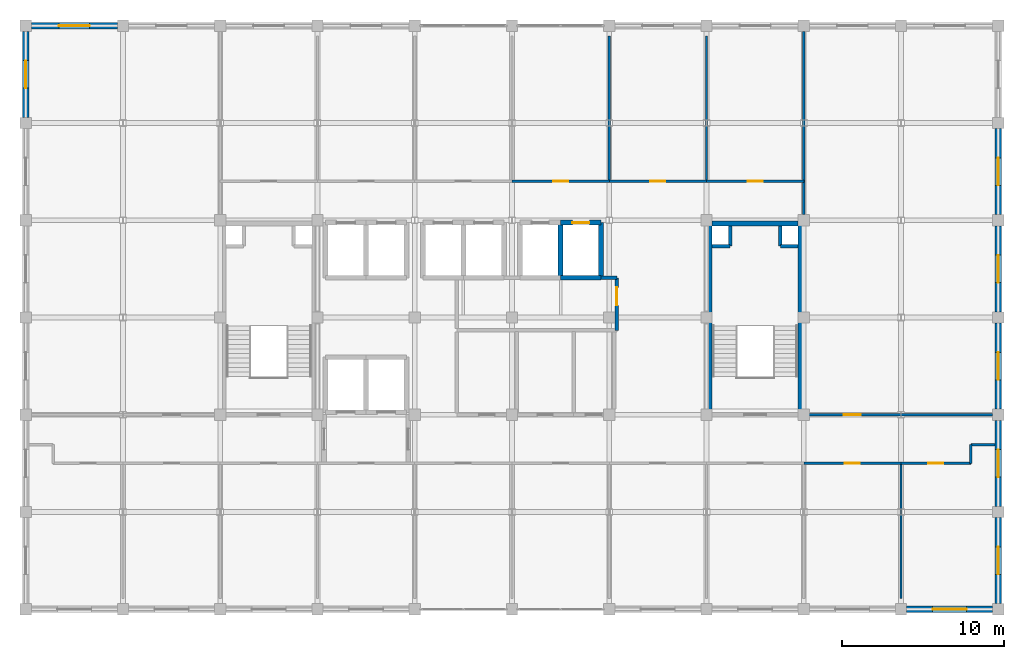
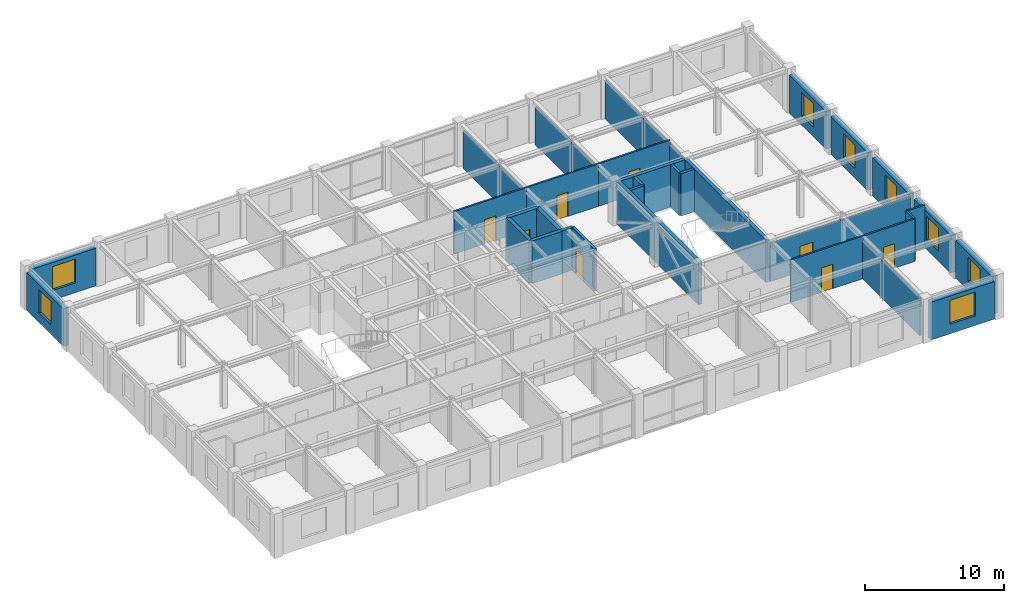
# One storey, part 12 of 14: 34 walls, 8 doors, 8 windows, 16 openings.
"""IFC4 building model written with IfcOpenShell, lengths in metres."""

from ifc_helpers import new_model, si_unit, direction, frame, frame_2d, origin, place, context, subcontext, project, spatial, rectangle, extrude, material, layer, layer_set, type_object, element, fill, save


model = new_model("IFC4")

# Units and contexts
model_context = context("Model", 3, precision=1e-05, world=origin(), true_north=direction((0.0, 1.0)))
body_context = subcontext(model_context, "Body", "Model", "MODEL_VIEW")
ifc_project = project(units=[si_unit("LENGTHUNIT", "METRE"), si_unit("AREAUNIT", "SQUARE_METRE"), si_unit("VOLUMEUNIT", "CUBIC_METRE"), si_unit("PLANEANGLEUNIT", "RADIAN"), si_unit("MASSUNIT", "GRAM", prefix="KILO")], contexts=[model_context])

# Site, building, storey
site_placement = place(None, origin())
site = spatial("IfcSite", under=ifc_project, at=site_placement, CompositionType="ELEMENT")
building_placement = place(site_placement, origin())
building = spatial("IfcBuilding", under=site, at=building_placement, Name="Zlatovratsky Civic Hall", CompositionType="ELEMENT")
storey_placement = place(building_placement, frame((0.0, 0.0, 28.800048828125)))
storey = spatial("IfcBuildingStorey", under=building, at=storey_placement, Name="L07", CompositionType="ELEMENT", Elevation=28.800048828125)

# Wall, opening, door
ifc_material_1 = material(Name="Fire-rated gypsum board framing", Category="gypsum")
ifc_layer_1 = layer(ifc_material_1, 0.139892578125)
ifc_layer_set_1 = layer_set([ifc_layer_1], Name="Fire-rated gypsum board framing")
wall_type_1 = type_object("IfcWallType", Name="Wall_OfficePartition_140", PredefinedType="PARTITIONING", material=ifc_layer_set_1)
wall_1_placement = place(storey_placement, frame((102.0, 81.0, 0.0), z_axis=(0.0, 0.0, 1.0), x_axis=(1.0, 0.0, 0.0)))
wall_1 = element("IfcWall", 1, at=wall_1_placement, inside=storey, type_object=wall_type_1, Name="WL-6364", PredefinedType="PARTITIONING", context=body_context, shape_type="SweptSolid", body=[
    extrude(rectangle(XDim=6.0, YDim=0.139892578125, at=frame_2d((3.0, 0.0))), origin(), (0.0, 0.0, 1.0), 3.739990234375),
])
opening_1_placement = place(wall_1_placement, frame((2.5400390625, 0.0, 0.0)))
opening_1 = element("IfcOpeningElement", 2, at=opening_1_placement, cuts=wall_1, Name="Opening D-23", PredefinedType="OPENING", context=body_context, shape_type="SweptSolid", body=[
    extrude(rectangle(XDim=0.919921875, YDim=2.14990234375, at=frame_2d((0.4599609375, 1.074951171875))), frame((0.0, 0.0849609375, 0.0), z_axis=(0.0, -1.0, 0.0), x_axis=(1.0, 0.0, 0.0)), (0.0, 0.0, 1.0), 0.169677734375),
])
ifc_material_2 = material(Name="Solid oak joinery in steel frame", Category="steel")
door_type_1 = type_object("IfcDoorType", Name="Door_OfficeStandard_920x2150", OperationType="NOTDEFINED", PredefinedType="DOOR", material=ifc_material_2)
door_1_placement = place(opening_1_placement, origin())
door_1 = element("IfcDoor", 3, at=door_1_placement, inside=storey, type_object=door_type_1, Name="DR-5391", OperationType="SINGLE_SWING_RIGHT", OverallHeight=2.14990234375, OverallWidth=0.919921875, PredefinedType="DOOR", context=body_context, shape_type="SweptSolid", body=[
    extrude(rectangle(XDim=0.919921875, YDim=2.14990234375, at=frame_2d((0.4599609375, 1.074951171875))), frame((0.0, 0.02490234375, 0.0), z_axis=(0.0, -1.0, 0.0), x_axis=(1.0, 0.0, 0.0)), (0.0, 0.0, 1.0), 0.050048828125),
])
fill(opening_1, door_1)

wall_2_placement = place(storey_placement, frame((108.0, 81.0, 0.0), z_axis=(0.0, 0.0, 1.0), x_axis=(1.0, 0.0, 0.0)))
wall_2 = element("IfcWall", 4, at=wall_2_placement, inside=storey, type_object=wall_type_1, Name="WL-6365", PredefinedType="PARTITIONING", context=body_context, shape_type="SweptSolid", body=[
    extrude(rectangle(XDim=4.300048828125, YDim=0.139892578125, at=frame_2d((2.14990234375, 0.0))), origin(), (0.0, 0.0, 1.0), 3.739990234375),
])
opening_2_placement = place(wall_2_placement, frame((1.68994140625, 0.0, 0.0)))
opening_2 = element("IfcOpeningElement", 5, at=opening_2_placement, cuts=wall_2, Name="Opening D-23", PredefinedType="OPENING", context=body_context, shape_type="SweptSolid", body=[
    extrude(rectangle(XDim=0.919921875, YDim=2.14990234375, at=frame_2d((0.4599609375, 1.074951171875))), frame((0.0, 0.0849609375, 0.0), z_axis=(0.0, -1.0, 0.0), x_axis=(1.0, 0.0, 0.0)), (0.0, 0.0, 1.0), 0.169677734375),
])
door_2_placement = place(opening_2_placement, origin())
door_2 = element("IfcDoor", 6, at=door_2_placement, inside=storey, type_object=door_type_1, Name="DR-5392", OperationType="SINGLE_SWING_RIGHT", OverallHeight=2.14990234375, OverallWidth=0.919921875, PredefinedType="DOOR", context=body_context, shape_type="SweptSolid", body=[
    extrude(rectangle(XDim=0.919921875, YDim=2.14990234375, at=frame_2d((0.4599609375, 1.074951171875))), frame((0.0, 0.02490234375, 0.0), z_axis=(0.0, -1.0, 0.0), x_axis=(1.0, 0.0, 0.0)), (0.0, 0.0, 1.0), 0.050048828125),
])
fill(opening_2, door_2)

wall_3_placement = place(storey_placement, frame((84.0, 98.39990234375, 0.0), z_axis=(0.0, 0.0, 1.0), x_axis=(1.0, 0.0, 0.0)))
wall_3 = element("IfcWall", 7, at=wall_3_placement, inside=storey, type_object=wall_type_1, Name="WL-6369", PredefinedType="PARTITIONING", context=body_context, shape_type="SweptSolid", body=[
    extrude(rectangle(XDim=6.0, YDim=0.139892578125, at=frame_2d((3.0, 0.0))), origin(), (0.0, 0.0, 1.0), 3.739990234375),
])
opening_3_placement = place(wall_3_placement, frame((2.5400390625, 0.0, 0.0)))
opening_3 = element("IfcOpeningElement", 8, at=opening_3_placement, cuts=wall_3, Name="Opening D-23", PredefinedType="OPENING", context=body_context, shape_type="SweptSolid", body=[
    extrude(rectangle(XDim=0.919921875, YDim=2.14990234375, at=frame_2d((0.4599609375, 1.074951171875))), frame((0.0, 0.0849609375, 0.0), z_axis=(0.0, -1.0, 0.0), x_axis=(1.0, 0.0, 0.0)), (0.0, 0.0, 1.0), 0.169677734375),
])
door_3_placement = place(opening_3_placement, origin())
door_3 = element("IfcDoor", 9, at=door_3_placement, inside=storey, type_object=door_type_1, Name="DR-5396", OperationType="SINGLE_SWING_RIGHT", OverallHeight=2.14990234375, OverallWidth=0.919921875, PredefinedType="DOOR", context=body_context, shape_type="SweptSolid", body=[
    extrude(rectangle(XDim=0.919921875, YDim=2.14990234375, at=frame_2d((0.4599609375, 1.074951171875))), frame((0.0, 0.02490234375, 0.0), z_axis=(0.0, -1.0, 0.0), x_axis=(1.0, 0.0, 0.0)), (0.0, 0.0, 1.0), 0.050048828125),
])
fill(opening_3, door_3)

wall_4_placement = place(storey_placement, frame((90.0, 98.39990234375, 0.0), z_axis=(0.0, 0.0, 1.0), x_axis=(1.0, 0.0, 0.0)))
wall_4 = element("IfcWall", 10, at=wall_4_placement, inside=storey, type_object=wall_type_1, Name="WL-6370", PredefinedType="PARTITIONING", context=body_context, shape_type="SweptSolid", body=[
    extrude(rectangle(XDim=6.0, YDim=0.139892578125, at=frame_2d((3.0, 0.0))), origin(), (0.0, 0.0, 1.0), 3.739990234375),
])
opening_4_placement = place(wall_4_placement, frame((2.5400390625, 0.0, 0.0)))
opening_4 = element("IfcOpeningElement", 11, at=opening_4_placement, cuts=wall_4, Name="Opening D-23", PredefinedType="OPENING", context=body_context, shape_type="SweptSolid", body=[
    extrude(rectangle(XDim=0.919921875, YDim=2.14990234375, at=frame_2d((0.4599609375, 1.074951171875))), frame((0.0, 0.0849609375, 0.0), z_axis=(0.0, -1.0, 0.0), x_axis=(1.0, 0.0, 0.0)), (0.0, 0.0, 1.0), 0.169677734375),
])
door_4_placement = place(opening_4_placement, origin())
door_4 = element("IfcDoor", 12, at=door_4_placement, inside=storey, type_object=door_type_1, Name="DR-5397", OperationType="SINGLE_SWING_RIGHT", OverallHeight=2.14990234375, OverallWidth=0.919921875, PredefinedType="DOOR", context=body_context, shape_type="SweptSolid", body=[
    extrude(rectangle(XDim=0.919921875, YDim=2.14990234375, at=frame_2d((0.4599609375, 1.074951171875))), frame((0.0, 0.02490234375, 0.0), z_axis=(0.0, -1.0, 0.0), x_axis=(1.0, 0.0, 0.0)), (0.0, 0.0, 1.0), 0.050048828125),
])
fill(opening_4, door_4)

wall_5_placement = place(storey_placement, frame((96.0, 98.39990234375, 0.0), z_axis=(0.0, 0.0, 1.0), x_axis=(1.0, 0.0, 0.0)))
wall_5 = element("IfcWall", 13, at=wall_5_placement, inside=storey, type_object=wall_type_1, Name="WL-6371", PredefinedType="PARTITIONING", context=body_context, shape_type="SweptSolid", body=[
    extrude(rectangle(XDim=6.0, YDim=0.139892578125, at=frame_2d((3.0, 0.0))), origin(), (0.0, 0.0, 1.0), 3.739990234375),
])
opening_5_placement = place(wall_5_placement, frame((2.5400390625, 0.0, 0.0)))
opening_5 = element("IfcOpeningElement", 14, at=opening_5_placement, cuts=wall_5, Name="Opening D-23", PredefinedType="OPENING", context=body_context, shape_type="SweptSolid", body=[
    extrude(rectangle(XDim=0.919921875, YDim=2.14990234375, at=frame_2d((0.4599609375, 1.074951171875))), frame((0.0, 0.0849609375, 0.0), z_axis=(0.0, -1.0, 0.0), x_axis=(1.0, 0.0, 0.0)), (0.0, 0.0, 1.0), 0.169677734375),
])
door_5_placement = place(opening_5_placement, origin())
door_5 = element("IfcDoor", 15, at=door_5_placement, inside=storey, type_object=door_type_1, Name="DR-5398", OperationType="SINGLE_SWING_RIGHT", OverallHeight=2.14990234375, OverallWidth=0.919921875, PredefinedType="DOOR", context=body_context, shape_type="SweptSolid", body=[
    extrude(rectangle(XDim=0.919921875, YDim=2.14990234375, at=frame_2d((0.4599609375, 1.074951171875))), frame((0.0, 0.02490234375, 0.0), z_axis=(0.0, -1.0, 0.0), x_axis=(1.0, 0.0, 0.0)), (0.0, 0.0, 1.0), 0.050048828125),
])
fill(opening_5, door_5)

wall_6_placement = place(storey_placement, frame((102.0, 84.0, 0.0), z_axis=(0.0, 0.0, 1.0), x_axis=(1.0, 0.0, 0.0)))
wall_6 = element("IfcWall", 16, at=wall_6_placement, inside=storey, type_object=wall_type_1, Name="WL-6373", PredefinedType="PARTITIONING", context=body_context, shape_type="SweptSolid", body=[
    extrude(rectangle(XDim=6.0, YDim=0.139892578125, at=frame_2d((3.0, 0.0))), origin(), (0.0, 0.0, 1.0), 3.35205078125),
])
opening_6_placement = place(wall_6_placement, frame((2.47509765625, 0.0, 0.0)))
opening_6 = element("IfcOpeningElement", 17, at=opening_6_placement, cuts=wall_6, Name="Opening D-24", PredefinedType="OPENING", context=body_context, shape_type="SweptSolid", body=[
    extrude(rectangle(XDim=1.050048828125, YDim=2.25, at=frame_2d((0.52490234375, 1.125))), frame((0.0, 0.0849609375, 0.0), z_axis=(0.0, -1.0, 0.0), x_axis=(1.0, 0.0, 0.0)), (0.0, 0.0, 1.0), 0.169677734375),
])
door_type_2 = type_object("IfcDoorType", Name="Door_DirectorateOffice_1050x2250", OperationType="NOTDEFINED", PredefinedType="DOOR", material=ifc_material_2)
door_6_placement = place(opening_6_placement, origin())
door_6 = element("IfcDoor", 18, at=door_6_placement, inside=storey, type_object=door_type_2, Name="DR-5400", OperationType="SINGLE_SWING_LEFT", OverallHeight=2.25, OverallWidth=1.050048828125, PredefinedType="DOOR", context=body_context, shape_type="SweptSolid", body=[
    extrude(rectangle(XDim=1.050048828125, YDim=2.25, at=frame_2d((0.52490234375, 1.125))), frame((0.0, 0.02490234375, 0.0), z_axis=(0.0, -1.0, 0.0), x_axis=(1.0, 0.0, 0.0)), (0.0, 0.0, 1.0), 0.050048828125),
])
fill(opening_6, door_6)

# Walls
wall_7_placement = place(storey_placement, frame((108.0, 72.64990234375, 0.0), z_axis=(0.0, 0.0, 1.0), x_axis=(0.0, 1.0, 0.0)))
element("IfcWall", 19, at=wall_7_placement, inside=storey, type_object=wall_type_1, Name="WL-6382", PredefinedType="PARTITIONING", context=body_context, shape_type="SweptSolid", body=[
    extrude(rectangle(XDim=8.35009765625, YDim=0.139892578125, at=frame_2d((4.175048828125, 0.0))), origin(), (0.0, 0.0, 1.0), 3.35205078125),
])
for number, where, z_axis, x_axis, name in (
    (20, (90.0, 98.39990234375, 0.0), (0.0, 0.0, 1.0), (0.0, 1.0, 0.0), "WL-6386"),
    (21, (96.0, 98.39990234375, 0.0), (0.0, 0.0, 1.0), (0.0, 1.0, 0.0), "WL-6387"),
):
    element("IfcWall", number, at=place(storey_placement, frame(where, z_axis=z_axis, x_axis=x_axis)), inside=storey, type_object=wall_type_1, Name=name, PredefinedType="PARTITIONING", context=body_context, shape_type="SweptSolid", body=[
        extrude(rectangle(XDim=8.9501953125, YDim=0.139892578125, at=frame_2d((4.47509765625, 0.0))), origin(), (0.0, 0.0, 1.0), 3.35205078125),
    ])
wall_8_placement = place(storey_placement, frame((112.300048828125, 81.0, 0.0), z_axis=(0.0, 0.0, 1.0), x_axis=(0.0, 1.0, 0.0)))
element("IfcWall", 22, at=wall_8_placement, inside=storey, type_object=wall_type_1, Name="WL-6395", PredefinedType="PARTITIONING", context=body_context, shape_type="SweptSolid", body=[
    extrude(rectangle(XDim=1.14990234375, YDim=0.139892578125, at=frame_2d((0.574951171875, 0.0))), origin(), (0.0, 0.0, 1.0), 3.739990234375),
])
wall_9_placement = place(storey_placement, frame((112.300048828125, 82.14990234375, 0.0), z_axis=(0.0, 0.0, 1.0), x_axis=(1.0, 0.0, 0.0)))
element("IfcWall", 23, at=wall_9_placement, inside=storey, type_object=wall_type_1, Name="WL-6396", PredefinedType="PARTITIONING", context=body_context, shape_type="SweptSolid", body=[
    extrude(rectangle(XDim=1.489990234375, YDim=0.139892578125, at=frame_2d((0.7451171875, 0.0))), origin(), (0.0, 0.0, 1.0), 3.739990234375),
])
wall_10_placement = place(storey_placement, frame((102.0, 96.35009765625, 0.0), z_axis=(0.0, 0.0, 1.0), x_axis=(0.0, 1.0, 0.0)))
element("IfcWall", 24, at=wall_10_placement, inside=storey, type_object=wall_type_1, Name="WL-6398", PredefinedType="PARTITIONING", context=body_context, shape_type="SweptSolid", body=[
    extrude(rectangle(XDim=11.2998046875, YDim=0.139892578125, at=frame_2d((5.64990234375, 0.0))), origin(), (0.0, 0.0, 1.0), 3.35205078125),
])
wall_11_placement = place(storey_placement, frame((108.0, 84.0, 0.0), z_axis=(0.0, 0.0, 1.0), x_axis=(1.0, 0.0, 0.0)))
element("IfcWall", 25, at=wall_11_placement, inside=storey, type_object=wall_type_1, Name="WL-6400", PredefinedType="PARTITIONING", context=body_context, shape_type="SweptSolid", body=[
    extrude(rectangle(XDim=5.64990234375, YDim=0.139892578125, at=frame_2d((2.824951171875, 0.0))), origin(), (0.0, 0.0, 1.0), 3.35205078125),
])
ifc_material_3 = material(Name="Acoustic ceramic blockwork", Category="masonry")
ifc_layer_2 = layer(ifc_material_3, 0.219970703125)
ifc_layer_set_2 = layer_set([ifc_layer_2], Name="Acoustic ceramic blockwork")
wall_type_2 = type_object("IfcWallType", Name="Wall_SanitaryWetCore_220", PredefinedType="PARTITIONING", material=ifc_layer_set_2)
wall_12_placement = place(storey_placement, frame((97.449951171875, 94.39990234375, 0.0), z_axis=(0.0, 0.0, 1.0), x_axis=(0.0, 1.0, 0.0)))
element("IfcWall", 26, at=wall_12_placement, inside=storey, type_object=wall_type_2, Name="WL-5219", PredefinedType="PARTITIONING", context=body_context, shape_type="SweptSolid", body=[
    extrude(rectangle(XDim=1.25, YDim=0.219970703125, at=frame_2d((0.625, 0.0))), origin(), (0.0, 0.0, 1.0), 3.739990234375),
])
wall_13_placement = place(storey_placement, frame((96.35009765625, 94.39990234375, 0.0), z_axis=(0.0, 0.0, 1.0), x_axis=(1.0, 0.0, 0.0)))
element("IfcWall", 27, at=wall_13_placement, inside=storey, type_object=wall_type_2, Name="WL-5220", PredefinedType="PARTITIONING", context=body_context, shape_type="SweptSolid", body=[
    extrude(rectangle(XDim=1.099853515625, YDim=0.219970703125, at=frame_2d((0.5498046875, 0.0))), origin(), (0.0, 0.0, 1.0), 3.739990234375),
])
wall_14_placement = place(storey_placement, frame((100.550048828125, 94.39990234375, 0.0), z_axis=(0.0, 0.0, 1.0), x_axis=(0.0, 1.0, 0.0)))
element("IfcWall", 28, at=wall_14_placement, inside=storey, type_object=wall_type_2, Name="WL-5221", PredefinedType="PARTITIONING", context=body_context, shape_type="SweptSolid", body=[
    extrude(rectangle(XDim=1.25, YDim=0.219970703125, at=frame_2d((0.625, 0.0))), origin(), (0.0, 0.0, 1.0), 3.739990234375),
])
wall_15_placement = place(storey_placement, frame((100.550048828125, 94.39990234375, 0.0), z_axis=(0.0, 0.0, 1.0), x_axis=(1.0, 0.0, 0.0)))
element("IfcWall", 29, at=wall_15_placement, inside=storey, type_object=wall_type_2, Name="WL-5222", PredefinedType="PARTITIONING", context=body_context, shape_type="SweptSolid", body=[
    extrude(rectangle(XDim=1.099853515625, YDim=0.219970703125, at=frame_2d((0.5498046875, 0.0))), origin(), (0.0, 0.0, 1.0), 3.739990234375),
])

# Wall, opening, door
wall_16_placement = place(storey_placement, frame((90.469970703125, 89.199951171875, 0.0), z_axis=(0.0, 0.0, 1.0), x_axis=(0.0, 1.0, 0.0)))
wall_16 = element("IfcWall", 30, at=wall_16_placement, inside=storey, type_object=wall_type_2, Name="WL-6355", PredefinedType="PARTITIONING", context=body_context, shape_type="SweptSolid", body=[
    extrude(rectangle(XDim=3.25, YDim=0.219970703125, at=frame_2d((1.625, 0.0))), origin(), (0.0, 0.0, 1.0), 3.739990234375),
])
opening_7_placement = place(wall_16_placement, frame((1.550048828125, 0.0, 0.0)))
opening_7 = element("IfcOpeningElement", 31, at=opening_7_placement, cuts=wall_16, Name="Opening D-30", PredefinedType="OPENING", context=body_context, shape_type="SweptSolid", body=[
    extrude(rectangle(XDim=1.10009765625, YDim=2.14990234375, at=frame_2d((0.550048828125, 1.074951171875))), frame((0.0, 0.125, 0.0), z_axis=(0.0, -1.0, 0.0), x_axis=(1.0, 0.0, 0.0)), (0.0, 0.0, 1.0), 0.249755859375),
])
ifc_material_4 = material(Name="Insulated painted fire-rated steel leaf", Category="steel")
door_type_3 = type_object("IfcDoorType", Name="Door_ElectricalRoom_1100x2150", OperationType="NOTDEFINED", PredefinedType="DOOR", material=ifc_material_4)
door_7_placement = place(opening_7_placement, origin())
door_7 = element("IfcDoor", 32, at=door_7_placement, inside=storey, type_object=door_type_3, Name="DR-5382", OperationType="SINGLE_SWING_RIGHT", OverallHeight=2.14990234375, OverallWidth=1.10009765625, PredefinedType="DOOR", context=body_context, shape_type="SweptSolid", body=[
    extrude(rectangle(XDim=1.10009765625, YDim=2.14990234375, at=frame_2d((0.550048828125, 1.074951171875))), frame((0.0, 0.02490234375, 0.0), z_axis=(0.0, -1.0, 0.0), x_axis=(1.0, 0.0, 0.0)), (0.0, 0.0, 1.0), 0.050048828125),
])
fill(opening_7, door_7)

# Walls
wall_17_placement = place(storey_placement, frame((89.5, 92.449951171875, 0.0), z_axis=(0.0, 0.0, 1.0), x_axis=(1.0, 0.0, 0.0)))
element("IfcWall", 33, at=wall_17_placement, inside=storey, type_object=wall_type_2, Name="WL-6392", PredefinedType="PARTITIONING", context=body_context, shape_type="SweptSolid", body=[
    extrude(rectangle(XDim=0.969970703125, YDim=0.219970703125, at=frame_2d((0.48486328125, 0.0))), origin(), (0.0, 0.0, 1.0), 3.739990234375),
])
ifc_material_5 = material(Name="Concrete C35/45 (B40)", Category="concrete")
ifc_layer_3 = layer(ifc_material_5, 0.300048828125)
ifc_layer_set_3 = layer_set([ifc_layer_3], Name="Concrete C35/45 (B40)")
wall_type_3 = type_object("IfcWallType", Name="Wall_StairAndLiftShaft_300", PredefinedType="SHEAR", material=ifc_layer_set_3)
wall_18_placement = place(storey_placement, frame((96.35009765625, 95.800048828125, 0.0), z_axis=(0.0, 0.0, 1.0), x_axis=(1.0, 0.0, 0.0)))
element("IfcWall", 34, at=wall_18_placement, inside=storey, type_object=wall_type_3, Name="WL-5216", PredefinedType="SHEAR", context=body_context, shape_type="SweptSolid", body=[
    extrude(rectangle(XDim=5.2998046875, YDim=0.300048828125, at=frame_2d((2.64990234375, 0.0))), origin(), (0.0, 0.0, 1.0), 3.739990234375),
])
for number, where, z_axis, x_axis, name in (
    (35, (96.199951171875, 84.0, 0.0), (0.0, 0.0, 1.0), (0.0, 1.0, 0.0), "WL-5217"),
    (36, (101.800048828125, 84.0, 0.0), (0.0, 0.0, 1.0), (0.0, 1.0, 0.0), "WL-5218"),
):
    element("IfcWall", number, at=place(storey_placement, frame(where, z_axis=z_axis, x_axis=x_axis)), inside=storey, type_object=wall_type_3, Name=name, PredefinedType="SHEAR", context=body_context, shape_type="SweptSolid", body=[
        extrude(rectangle(XDim=11.800048828125, YDim=0.300048828125, at=frame_2d((5.89990234375, 0.0))), origin(), (0.0, 0.0, 1.0), 3.739990234375),
    ])

# Wall, opening, door
wall_19_placement = place(storey_placement, frame((87.0, 95.85009765625, 0.0), z_axis=(0.0, 0.0, 1.0), x_axis=(1.0, 0.0, 0.0)))
wall_19 = element("IfcWall", 37, at=wall_19_placement, inside=storey, type_object=wall_type_3, Name="WL-5953", PredefinedType="SHEAR", context=body_context, shape_type="SweptSolid", body=[
    extrude(rectangle(XDim=2.5, YDim=0.300048828125, at=frame_2d((1.25, 0.0))), origin(), (0.0, 0.0, 1.0), 3.739990234375),
])
opening_8_placement = place(wall_19_placement, frame((0.72509765625, 0.0, 0.0)))
opening_8 = element("IfcOpeningElement", 38, at=opening_8_placement, cuts=wall_19, Name="Opening LD-03", PredefinedType="OPENING", context=body_context, shape_type="SweptSolid", body=[
    extrude(rectangle(XDim=1.050048828125, YDim=2.10009765625, at=frame_2d((0.52490234375, 1.050048828125))), frame((0.0, 0.1650390625, 0.0), z_axis=(0.0, -1.0, 0.0), x_axis=(1.0, 0.0, 0.0)), (0.0, 0.0, 1.0), 0.329833984375),
])
ifc_material_6 = material(Name="Brushed stainless steel AISI 304", Category="steel")
door_type_4 = type_object("IfcDoorType", Name="Door_LiftLandingMidRise_1050x2100", OperationType="DOUBLE_DOOR_SLIDING", PredefinedType="DOOR", material=ifc_material_6)
door_8_placement = place(opening_8_placement, origin())
door_8 = element("IfcDoor", 39, at=door_8_placement, inside=storey, type_object=door_type_4, Name="Lift landing door LD-5191", OperationType="DOUBLE_DOOR_SLIDING", OverallHeight=2.10009765625, OverallWidth=1.050048828125, PredefinedType="DOOR", context=body_context, shape_type="SweptSolid", body=[
    extrude(rectangle(XDim=1.050048828125, YDim=2.10009765625, at=frame_2d((0.52490234375, 1.050048828125))), frame((0.0, 0.02490234375, 0.0), z_axis=(0.0, -1.0, 0.0), x_axis=(1.0, 0.0, 0.0)), (0.0, 0.0, 1.0), 0.050048828125),
])
fill(opening_8, door_8)

# Walls
wall_20_placement = place(storey_placement, frame((87.0, 92.449951171875, 0.0), z_axis=(0.0, 0.0, 1.0), x_axis=(1.0, 0.0, 0.0)))
element("IfcWall", 40, at=wall_20_placement, inside=storey, type_object=wall_type_3, Name="WL-5954", PredefinedType="SHEAR", context=body_context, shape_type="SweptSolid", body=[
    extrude(rectangle(XDim=2.5, YDim=0.300048828125, at=frame_2d((1.25, 0.0))), origin(), (0.0, 0.0, 1.0), 3.739990234375),
])
for number, where, z_axis, x_axis, name in (
    (41, (87.0, 92.449951171875, 0.0), (0.0, 0.0, 1.0), (0.0, 1.0, 0.0), "WL-5955"),
    (42, (89.5, 92.449951171875, 0.0), (0.0, 0.0, 1.0), (0.0, 1.0, 0.0), "WL-5956"),
):
    element("IfcWall", number, at=place(storey_placement, frame(where, z_axis=z_axis, x_axis=x_axis)), inside=storey, type_object=wall_type_3, Name=name, PredefinedType="SHEAR", context=body_context, shape_type="SweptSolid", body=[
        extrude(rectangle(XDim=3.400146484375, YDim=0.300048828125, at=frame_2d((1.7001953125, 0.0))), origin(), (0.0, 0.0, 1.0), 3.739990234375),
    ])

# Wall, opening, window
ifc_layer_4 = layer(ifc_material_3, 0.280029296875, Name="Backing")
ifc_material_7 = material(Name="Podolsk limestone ashlar", Category="masonry")
ifc_layer_5 = layer(ifc_material_7, 0.139892578125, Name="Finish")
ifc_layer_set_4 = layer_set([ifc_layer_4, ifc_layer_5], Name="Acoustic ceramic blockwork")
wall_type_4 = type_object("IfcWallType", Name="Wall_TowerLimestoneAshlar_420", PredefinedType="SOLIDWALL", material=ifc_layer_set_4)
wall_21_placement = place(storey_placement, frame((108.35009765625, 72.0, 0.0), z_axis=(0.0, 0.0, 1.0), x_axis=(1.0, 0.0, 0.0)))
wall_21 = element("IfcWall", 43, at=wall_21_placement, inside=storey, type_object=wall_type_4, Name="WL-0452", PredefinedType="SOLIDWALL", context=body_context, shape_type="SweptSolid", body=[
    extrude(rectangle(XDim=5.2998046875, YDim=0.419921875, at=frame_2d((2.64990234375, 0.0))), origin(), (0.0, 0.0, 1.0), 3.320068359375),
])
opening_9_placement = place(wall_21_placement, frame((1.60009765625, 0.0, 0.85009765625)))
opening_9 = element("IfcOpeningElement", 44, at=opening_9_placement, cuts=wall_21, Name="Opening WN-14", PredefinedType="OPENING", context=body_context, shape_type="SweptSolid", body=[
    extrude(rectangle(XDim=2.10009765625, YDim=2.10009765625, at=frame_2d((1.050048828125, 1.050048828125))), frame((0.0, 0.224853515625, 0.0), z_axis=(0.0, -1.0, 0.0), x_axis=(1.0, 0.0, 0.0)), (0.0, 0.0, 1.0), 0.44970703125),
])
ifc_material_8 = material(Name="Low-E laminated double glazing", Category="glass")
window_type_1 = type_object("IfcWindowType", Name="Window_TowerTier1South_2100x2100", PartitioningType="SINGLE_PANEL", PredefinedType="WINDOW", material=ifc_material_8)
window_1_placement = place(opening_9_placement, origin())
window_1 = element("IfcWindow", 45, at=window_1_placement, inside=storey, type_object=window_type_1, Name="WN-0356", OverallHeight=2.10009765625, OverallWidth=2.10009765625, PartitioningType="SINGLE_PANEL", PredefinedType="WINDOW", context=body_context, shape_type="SweptSolid", body=[
    extrude(rectangle(XDim=2.10009765625, YDim=2.10009765625, at=frame_2d((1.050048828125, 1.050048828125))), frame((0.0, 0.030029296875, 0.0), z_axis=(0.0, -1.0, 0.0), x_axis=(1.0, 0.0, 0.0)), (0.0, 0.0, 1.0), 0.06005859375),
])
fill(opening_9, window_1)

wall_22_placement = place(storey_placement, frame((54.35009765625, 108.0, 0.0), z_axis=(0.0, 0.0, 1.0), x_axis=(1.0, 0.0, 0.0)))
wall_22 = element("IfcWall", 46, at=wall_22_placement, inside=storey, type_object=wall_type_4, Name="WL-0453", PredefinedType="SOLIDWALL", context=body_context, shape_type="SweptSolid", body=[
    extrude(rectangle(XDim=5.2998046875, YDim=0.419921875, at=frame_2d((2.64990234375, 0.0))), origin(), (0.0, 0.0, 1.0), 3.320068359375),
])
opening_10_placement = place(wall_22_placement, frame((1.699951171875, 0.0, 0.85009765625)))
opening_10 = element("IfcOpeningElement", 47, at=opening_10_placement, cuts=wall_22, Name="Opening WN-15", PredefinedType="OPENING", context=body_context, shape_type="SweptSolid", body=[
    extrude(rectangle(XDim=1.89990234375, YDim=2.10009765625, at=frame_2d((0.949951171875, 1.050048828125))), frame((0.0, 0.224853515625, 0.0), z_axis=(0.0, -1.0, 0.0), x_axis=(1.0, 0.0, 0.0)), (0.0, 0.0, 1.0), 0.44970703125),
])
window_type_2 = type_object("IfcWindowType", Name="Window_TowerTier1North_1900x2100", PartitioningType="SINGLE_PANEL", PredefinedType="WINDOW", material=ifc_material_8)
window_2_placement = place(opening_10_placement, origin())
window_2 = element("IfcWindow", 48, at=window_2_placement, inside=storey, type_object=window_type_2, Name="WN-0357", OverallHeight=2.10009765625, OverallWidth=1.89990234375, PartitioningType="SINGLE_PANEL", PredefinedType="WINDOW", context=body_context, shape_type="SweptSolid", body=[
    extrude(rectangle(XDim=1.89990234375, YDim=2.10009765625, at=frame_2d((0.949951171875, 1.050048828125))), frame((0.0, 0.030029296875, 0.0), z_axis=(0.0, -1.0, 0.0), x_axis=(1.0, 0.0, 0.0)), (0.0, 0.0, 1.0), 0.06005859375),
])
fill(opening_10, window_2)

wall_23_placement = place(storey_placement, frame((54.0, 102.35009765625, 0.0), z_axis=(0.0, 0.0, 1.0), x_axis=(0.0, 1.0, 0.0)))
wall_23 = element("IfcWall", 49, at=wall_23_placement, inside=storey, type_object=wall_type_4, Name="WL-0466", PredefinedType="SOLIDWALL", context=body_context, shape_type="SweptSolid", body=[
    extrude(rectangle(XDim=5.2998046875, YDim=0.419921875, at=frame_2d((2.64990234375, 0.0))), origin(), (0.0, 0.0, 1.0), 3.320068359375),
])
opening_11_placement = place(wall_23_placement, frame((1.800048828125, 0.0, 0.85009765625)))
opening_11 = element("IfcOpeningElement", 50, at=opening_11_placement, cuts=wall_23, Name="Opening WN-16", PredefinedType="OPENING", context=body_context, shape_type="SweptSolid", body=[
    extrude(rectangle(XDim=1.699951171875, YDim=2.050048828125, at=frame_2d((0.85009765625, 1.02490234375))), frame((0.0, 0.224853515625, 0.0), z_axis=(0.0, -1.0, 0.0), x_axis=(1.0, 0.0, 0.0)), (0.0, 0.0, 1.0), 0.44970703125),
])
window_type_3 = type_object("IfcWindowType", Name="Window_TowerTier1Flank_1700x2050", PartitioningType="SINGLE_PANEL", PredefinedType="WINDOW", material=ifc_material_8)
window_3_placement = place(opening_11_placement, origin())
window_3 = element("IfcWindow", 51, at=window_3_placement, inside=storey, type_object=window_type_3, Name="WN-0370", OverallHeight=2.050048828125, OverallWidth=1.699951171875, PartitioningType="SINGLE_PANEL", PredefinedType="WINDOW", context=body_context, shape_type="SweptSolid", body=[
    extrude(rectangle(XDim=1.699951171875, YDim=2.050048828125, at=frame_2d((0.85009765625, 1.02490234375))), frame((0.0, 0.030029296875, 0.0), z_axis=(0.0, -1.0, 0.0), x_axis=(1.0, 0.0, 0.0)), (0.0, 0.0, 1.0), 0.06005859375),
])
fill(opening_11, window_3)

wall_24_placement = place(storey_placement, frame((114.0, 72.35009765625, 0.0), z_axis=(0.0, 0.0, 1.0), x_axis=(0.0, 1.0, 0.0)))
wall_24 = element("IfcWall", 52, at=wall_24_placement, inside=storey, type_object=wall_type_4, Name="WL-0467", PredefinedType="SOLIDWALL", context=body_context, shape_type="SweptSolid", body=[
    extrude(rectangle(XDim=5.2998046875, YDim=0.419921875, at=frame_2d((2.64990234375, 0.0))), origin(), (0.0, 0.0, 1.0), 3.320068359375),
])
opening_12_placement = place(wall_24_placement, frame((1.800048828125, 0.0, 0.85009765625)))
opening_12 = element("IfcOpeningElement", 53, at=opening_12_placement, cuts=wall_24, Name="Opening WN-16", PredefinedType="OPENING", context=body_context, shape_type="SweptSolid", body=[
    extrude(rectangle(XDim=1.699951171875, YDim=2.050048828125, at=frame_2d((0.85009765625, 1.02490234375))), frame((0.0, 0.224853515625, 0.0), z_axis=(0.0, -1.0, 0.0), x_axis=(1.0, 0.0, 0.0)), (0.0, 0.0, 1.0), 0.44970703125),
])
window_4_placement = place(opening_12_placement, origin())
window_4 = element("IfcWindow", 54, at=window_4_placement, inside=storey, type_object=window_type_3, Name="WN-0371", OverallHeight=2.050048828125, OverallWidth=1.699951171875, PartitioningType="SINGLE_PANEL", PredefinedType="WINDOW", context=body_context, shape_type="SweptSolid", body=[
    extrude(rectangle(XDim=1.699951171875, YDim=2.050048828125, at=frame_2d((0.85009765625, 1.02490234375))), frame((0.0, 0.030029296875, 0.0), z_axis=(0.0, -1.0, 0.0), x_axis=(1.0, 0.0, 0.0)), (0.0, 0.0, 1.0), 0.06005859375),
])
fill(opening_12, window_4)

wall_25_placement = place(storey_placement, frame((114.0, 78.35009765625, 0.0), z_axis=(0.0, 0.0, 1.0), x_axis=(0.0, 1.0, 0.0)))
wall_25 = element("IfcWall", 55, at=wall_25_placement, inside=storey, type_object=wall_type_4, Name="WL-0468", PredefinedType="SOLIDWALL", context=body_context, shape_type="SweptSolid", body=[
    extrude(rectangle(XDim=5.2998046875, YDim=0.419921875, at=frame_2d((2.64990234375, 0.0))), origin(), (0.0, 0.0, 1.0), 3.320068359375),
])
opening_13_placement = place(wall_25_placement, frame((1.800048828125, 0.0, 0.85009765625)))
opening_13 = element("IfcOpeningElement", 56, at=opening_13_placement, cuts=wall_25, Name="Opening WN-16", PredefinedType="OPENING", context=body_context, shape_type="SweptSolid", body=[
    extrude(rectangle(XDim=1.699951171875, YDim=2.050048828125, at=frame_2d((0.85009765625, 1.02490234375))), frame((0.0, 0.224853515625, 0.0), z_axis=(0.0, -1.0, 0.0), x_axis=(1.0, 0.0, 0.0)), (0.0, 0.0, 1.0), 0.44970703125),
])
window_5_placement = place(opening_13_placement, origin())
window_5 = element("IfcWindow", 57, at=window_5_placement, inside=storey, type_object=window_type_3, Name="WN-0372", OverallHeight=2.050048828125, OverallWidth=1.699951171875, PartitioningType="SINGLE_PANEL", PredefinedType="WINDOW", context=body_context, shape_type="SweptSolid", body=[
    extrude(rectangle(XDim=1.699951171875, YDim=2.050048828125, at=frame_2d((0.85009765625, 1.02490234375))), frame((0.0, 0.030029296875, 0.0), z_axis=(0.0, -1.0, 0.0), x_axis=(1.0, 0.0, 0.0)), (0.0, 0.0, 1.0), 0.06005859375),
])
fill(opening_13, window_5)

wall_26_placement = place(storey_placement, frame((114.0, 84.35009765625, 0.0), z_axis=(0.0, 0.0, 1.0), x_axis=(0.0, 1.0, 0.0)))
wall_26 = element("IfcWall", 58, at=wall_26_placement, inside=storey, type_object=wall_type_4, Name="WL-0469", PredefinedType="SOLIDWALL", context=body_context, shape_type="SweptSolid", body=[
    extrude(rectangle(XDim=5.2998046875, YDim=0.419921875, at=frame_2d((2.64990234375, 0.0))), origin(), (0.0, 0.0, 1.0), 3.320068359375),
])
opening_14_placement = place(wall_26_placement, frame((1.800048828125, 0.0, 0.85009765625)))
opening_14 = element("IfcOpeningElement", 59, at=opening_14_placement, cuts=wall_26, Name="Opening WN-16", PredefinedType="OPENING", context=body_context, shape_type="SweptSolid", body=[
    extrude(rectangle(XDim=1.699951171875, YDim=2.050048828125, at=frame_2d((0.85009765625, 1.02490234375))), frame((0.0, 0.224853515625, 0.0), z_axis=(0.0, -1.0, 0.0), x_axis=(1.0, 0.0, 0.0)), (0.0, 0.0, 1.0), 0.44970703125),
])
window_6_placement = place(opening_14_placement, origin())
window_6 = element("IfcWindow", 60, at=window_6_placement, inside=storey, type_object=window_type_3, Name="WN-0373", OverallHeight=2.050048828125, OverallWidth=1.699951171875, PartitioningType="SINGLE_PANEL", PredefinedType="WINDOW", context=body_context, shape_type="SweptSolid", body=[
    extrude(rectangle(XDim=1.699951171875, YDim=2.050048828125, at=frame_2d((0.85009765625, 1.02490234375))), frame((0.0, 0.030029296875, 0.0), z_axis=(0.0, -1.0, 0.0), x_axis=(1.0, 0.0, 0.0)), (0.0, 0.0, 1.0), 0.06005859375),
])
fill(opening_14, window_6)

wall_27_placement = place(storey_placement, frame((114.0, 90.35009765625, 0.0), z_axis=(0.0, 0.0, 1.0), x_axis=(0.0, 1.0, 0.0)))
wall_27 = element("IfcWall", 61, at=wall_27_placement, inside=storey, type_object=wall_type_4, Name="WL-0470", PredefinedType="SOLIDWALL", context=body_context, shape_type="SweptSolid", body=[
    extrude(rectangle(XDim=5.2998046875, YDim=0.419921875, at=frame_2d((2.64990234375, 0.0))), origin(), (0.0, 0.0, 1.0), 3.320068359375),
])
opening_15_placement = place(wall_27_placement, frame((1.800048828125, 0.0, 0.85009765625)))
opening_15 = element("IfcOpeningElement", 62, at=opening_15_placement, cuts=wall_27, Name="Opening WN-16", PredefinedType="OPENING", context=body_context, shape_type="SweptSolid", body=[
    extrude(rectangle(XDim=1.699951171875, YDim=2.050048828125, at=frame_2d((0.85009765625, 1.02490234375))), frame((0.0, 0.224853515625, 0.0), z_axis=(0.0, -1.0, 0.0), x_axis=(1.0, 0.0, 0.0)), (0.0, 0.0, 1.0), 0.44970703125),
])
window_7_placement = place(opening_15_placement, origin())
window_7 = element("IfcWindow", 63, at=window_7_placement, inside=storey, type_object=window_type_3, Name="WN-0374", OverallHeight=2.050048828125, OverallWidth=1.699951171875, PartitioningType="SINGLE_PANEL", PredefinedType="WINDOW", context=body_context, shape_type="SweptSolid", body=[
    extrude(rectangle(XDim=1.699951171875, YDim=2.050048828125, at=frame_2d((0.85009765625, 1.02490234375))), frame((0.0, 0.030029296875, 0.0), z_axis=(0.0, -1.0, 0.0), x_axis=(1.0, 0.0, 0.0)), (0.0, 0.0, 1.0), 0.06005859375),
])
fill(opening_15, window_7)

wall_28_placement = place(storey_placement, frame((114.0, 96.35009765625, 0.0), z_axis=(0.0, 0.0, 1.0), x_axis=(0.0, 1.0, 0.0)))
wall_28 = element("IfcWall", 64, at=wall_28_placement, inside=storey, type_object=wall_type_4, Name="WL-0471", PredefinedType="SOLIDWALL", context=body_context, shape_type="SweptSolid", body=[
    extrude(rectangle(XDim=5.2998046875, YDim=0.419921875, at=frame_2d((2.64990234375, 0.0))), origin(), (0.0, 0.0, 1.0), 3.320068359375),
])
opening_16_placement = place(wall_28_placement, frame((1.800048828125, 0.0, 0.85009765625)))
opening_16 = element("IfcOpeningElement", 65, at=opening_16_placement, cuts=wall_28, Name="Opening WN-16", PredefinedType="OPENING", context=body_context, shape_type="SweptSolid", body=[
    extrude(rectangle(XDim=1.699951171875, YDim=2.050048828125, at=frame_2d((0.85009765625, 1.02490234375))), frame((0.0, 0.224853515625, 0.0), z_axis=(0.0, -1.0, 0.0), x_axis=(1.0, 0.0, 0.0)), (0.0, 0.0, 1.0), 0.44970703125),
])
window_8_placement = place(opening_16_placement, origin())
window_8 = element("IfcWindow", 66, at=window_8_placement, inside=storey, type_object=window_type_3, Name="WN-0375", OverallHeight=2.050048828125, OverallWidth=1.699951171875, PartitioningType="SINGLE_PANEL", PredefinedType="WINDOW", context=body_context, shape_type="SweptSolid", body=[
    extrude(rectangle(XDim=1.699951171875, YDim=2.050048828125, at=frame_2d((0.85009765625, 1.02490234375))), frame((0.0, 0.030029296875, 0.0), z_axis=(0.0, -1.0, 0.0), x_axis=(1.0, 0.0, 0.0)), (0.0, 0.0, 1.0), 0.06005859375),
])
fill(opening_16, window_8)

save(model, "model.ifc")
